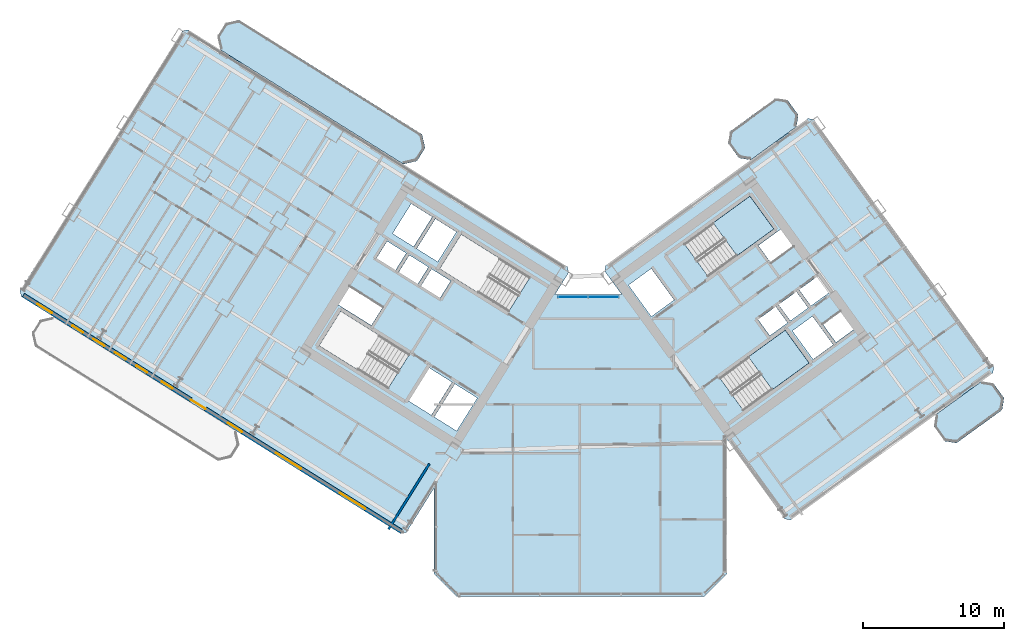
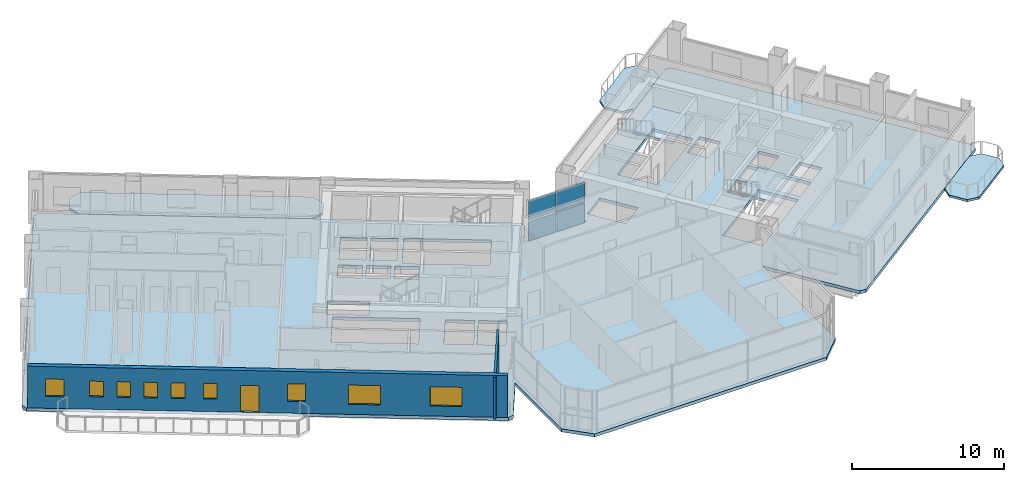
# One storey, part 14 of 28: 9 windows, 6 slabs, 4 plates, 2 walls, 1 door, 10 openings, 3 elements without a shape of their own.
"""IFC4 building model written with IfcOpenShell, lengths in metres."""

from ifc_helpers import new_model, si_unit, direction, frame, frame_2d, origin, origin_2d, place, context, subcontext, project, spatial, polyline, rectangle, outline, extrude, source, transform, mapped, material, layer, layer_set, type_object, element, fill, aggregate, save


model = new_model("IFC4")

# Units and contexts
model_context = context("Model", 3, precision=1e-05, world=origin(), true_north=direction((0.0, 1.0)))
body_context = subcontext(model_context, "Body", "Model", "MODEL_VIEW")
ifc_project = project(units=[si_unit("LENGTHUNIT", "METRE"), si_unit("AREAUNIT", "SQUARE_METRE"), si_unit("VOLUMEUNIT", "CUBIC_METRE"), si_unit("PLANEANGLEUNIT", "RADIAN"), si_unit("MASSUNIT", "GRAM", prefix="KILO")], contexts=[model_context])

# Site, building, storey
site_placement = place(None, origin())
site = spatial("IfcSite", under=ifc_project, at=site_placement, CompositionType="ELEMENT")
building_placement = place(site_placement, origin())
building = spatial("IfcBuilding", under=site, at=building_placement, Name="Tlacorven Tower", CompositionType="ELEMENT")
storey_placement = place(building_placement, frame((0.0, 0.0, 27.60009765625)))
storey = spatial("IfcBuildingStorey", under=building, at=storey_placement, Name="L06", CompositionType="ELEMENT", Elevation=27.60009765625)

# Slabs
ifc_material_1 = material(Name="Precast concrete C45/55", Category="concrete")
ifc_layer_1 = layer(ifc_material_1, 0.179931640625)
ifc_layer_set_1 = layer_set([ifc_layer_1], Name="Precast concrete C45/55")
slab_type_1 = type_object("IfcSlabType", Name="SL-BAL-180", PredefinedType="USERDEFINED", material=ifc_layer_set_1)
slab_1_placement = place(storey_placement, frame((0.0, 0.0, -0.18017578125)))
element("IfcSlab", 1, at=slab_1_placement, inside=storey, type_object=slab_type_1, Name="L06 West Wing Balcony Ribbon IN", ObjectType="BALCONY SLAB", PredefinedType="USERDEFINED", context=body_context, shape_type="SweptSolid", body=[
    extrude(outline(polyline([(30.756591796875, 34.57763671875), (17.781494140625, 42.685546875), (16.81689453125, 42.462890625), (16.236572265625, 41.5341796875), (16.459228515625, 40.569580078125), (29.434326171875, 32.4619140625), (30.39892578125, 32.6845703125), (30.979248046875, 33.613037109375), (30.756591796875, 34.57763671875)])), origin(), (0.0, 0.0, 1.0), 0.18017578125),
])
slab_2_placement = place(storey_placement, frame((0.0, 0.0, -0.18017578125)))
element("IfcSlab", 2, at=slab_2_placement, inside=storey, type_object=slab_type_1, Name="L06 East Wing Balcony Ribbon OUT", ObjectType="BALCONY SLAB", PredefinedType="USERDEFINED", context=body_context, shape_type="SweptSolid", body=[
    extrude(outline(polyline([(68.669921875, 12.678955078125), (71.906005859375, 15.0302734375), (72.03857421875, 15.8681640625), (71.27734375, 16.916015625), (70.439453125, 17.048583984375), (67.203369140625, 14.697509765625), (67.070556640625, 13.859375), (67.831787109375, 12.811767578125), (68.669921875, 12.678955078125)])), origin(), (0.0, 0.0, 1.0), 0.18017578125),
])
slab_3_placement = place(storey_placement, frame((0.0, 0.0, -0.18017578125)))
element("IfcSlab", 3, at=slab_3_placement, inside=storey, type_object=slab_type_1, Name="L06 East Wing Balcony Ribbon IN", ObjectType="BALCONY SLAB", PredefinedType="USERDEFINED", context=body_context, shape_type="SweptSolid", body=[
    extrude(outline(polyline([(54.078125, 32.762939453125), (57.314208984375, 35.114013671875), (57.44677734375, 35.9521484375), (56.685791015625, 36.999755859375), (55.84765625, 37.132568359375), (52.611572265625, 34.78125), (52.478759765625, 33.943359375), (53.239990234375, 32.8955078125), (54.078125, 32.762939453125)])), origin(), (0.0, 0.0, 1.0), 0.18017578125),
])

# Stair, slab
ifc_material_2 = material(Name="Concrete C40/50", Category="concrete")
stair_type = type_object("IfcStairType", Name="ST-CORE-DLG", PredefinedType="HALF_TURN_STAIR", material=ifc_material_2)
stair_1_placement = place(storey_placement, origin())
stair_1 = element("IfcStair", 4, at=stair_1_placement, inside=storey, type_object=stair_type, Name="L06 Protected Exit Stair East 1", PredefinedType="HALF_TURN_STAIR")
ifc_layer_2 = layer(ifc_material_2, 0.199951171875)
ifc_layer_set_2 = layer_set([ifc_layer_2], Name="Concrete C40/50")
slab_type_2 = type_object("IfcSlabType", Name="SL-LND-200", PredefinedType="LANDING", material=ifc_layer_set_2)
slab_4_placement = place(storey_placement, frame((0.0, 0.0, 1.599853515625)))
slab_4 = element("IfcSlab", 5, at=slab_4_placement, type_object=slab_type_2, Name="ST-E1 landing 1", PredefinedType="LANDING", context=body_context, shape_type="SweptSolid", body=[
    extrude(outline(polyline([(53.09765625, 25.962890625), (55.7109375, 27.861572265625), (54.01806640625, 30.19140625), (51.40478515625, 28.29296875), (53.09765625, 25.962890625)])), origin(), (0.0, 0.0, 1.0), 0.199951171875),
])
aggregate(stair_1, [slab_4])

stair_2_placement = place(storey_placement, origin())
stair_2 = element("IfcStair", 6, at=stair_2_placement, inside=storey, type_object=stair_type, Name="L06 Protected Exit Stair East 2", PredefinedType="HALF_TURN_STAIR")
slab_5_placement = place(storey_placement, frame((0.0, 0.0, 1.599853515625)))
slab_5 = element("IfcSlab", 7, at=slab_5_placement, type_object=slab_type_2, Name="ST-E2 landing 1", PredefinedType="LANDING", context=body_context, shape_type="SweptSolid", body=[
    extrude(outline(polyline([(55.601806640625, 16.4599609375), (58.21484375, 18.3583984375), (56.52197265625, 20.6884765625), (53.908935546875, 18.789794921875), (55.601806640625, 16.4599609375)])), origin(), (0.0, 0.0, 1.0), 0.199951171875),
])
aggregate(stair_2, [slab_5])

# Slab
ifc_layer_3 = layer(ifc_material_2, 0.25)
ifc_layer_set_3 = layer_set([ifc_layer_3], Name="Concrete C40/50")
slab_type_3 = type_object("IfcSlabType", Name="SL-TWR-250", PredefinedType="FLOOR", material=ifc_layer_set_3)
slab_6_placement = place(storey_placement, frame((0.0, 0.0, -0.25)))
element("IfcSlab", 8, at=slab_6_placement, inside=storey, type_object=slab_type_3, Name="L06 Boomerang Tower Floor Slab", PredefinedType="FLOOR", context=body_context, shape_type="SweptSolid", body=[
    extrude(outline(polyline([(52.39990234375, 3.39990234375), (50.800048828125, 1.800048828125), (33.199951171875, 1.800048828125), (31.60009765625, 3.39990234375), (31.60009765625, 9.470703125), (29.652587890625, 6.35400390625), (29.2392578125, 6.258544921875), (2.339111328125, 23.067626953125), (2.24365234375, 23.481201171875), (13.75341796875, 41.900634765625), (14.1669921875, 41.99609375), (41.06689453125, 25.18701171875), (41.162353515625, 24.773681640625), (40.178955078125, 23.199951171875), (44.932373046875, 23.199951171875), (43.723876953125, 24.86328125), (43.790283203125, 25.2822265625), (58.1259765625, 35.69775390625), (58.545166015625, 35.63134765625), (71.311767578125, 18.0595703125), (71.245361328125, 17.640380859375), (56.90966796875, 7.224853515625), (56.49072265625, 7.291259765625), (52.39990234375, 12.921630859375), (52.39990234375, 3.39990234375)]), holes=[polyline([(29.865478515625, 18.979736328125), (24.9892578125, 22.02685546875), (23.463134765625, 19.58447265625), (28.33935546875, 16.537353515625), (29.865478515625, 18.979736328125)]), polyline([(38.4169921875, 24.4375), (33.540771484375, 27.484375), (32.0146484375, 25.0419921875), (36.890869140625, 21.9951171875), (38.4169921875, 24.4375)]), polyline([(51.05908203125, 24.481689453125), (55.7109375, 27.861572265625), (54.01806640625, 30.19140625), (49.3662109375, 26.811767578125), (51.05908203125, 24.481689453125)]), polyline([(53.56298828125, 14.978759765625), (58.21484375, 18.3583984375), (56.52197265625, 20.6884765625), (51.8701171875, 17.30859375), (53.56298828125, 14.978759765625)]), polyline([(34.682373046875, 15.87548828125), (33.088134765625, 16.871826171875), (31.62548828125, 14.531005859375), (33.2197265625, 13.534912109375), (34.682373046875, 15.87548828125)]), polyline([(32.884521484375, 16.9990234375), (31.2392578125, 18.02685546875), (29.77685546875, 15.686279296875), (31.421875, 14.658203125), (32.884521484375, 16.9990234375)]), polyline([(47.0234375, 21.648681640625), (48.6416015625, 22.82421875), (47.019287109375, 25.05712890625), (45.401123046875, 23.881591796875), (47.0234375, 21.648681640625)]), polyline([(33.197265625, 27.65185546875), (31.704833984375, 28.58447265625), (30.3798828125, 26.46435546875), (31.87255859375, 25.53173828125), (33.197265625, 27.65185546875)]), polyline([(31.484375, 28.722412109375), (29.99169921875, 29.655029296875), (28.6669921875, 27.534912109375), (30.159423828125, 26.602294921875), (31.484375, 28.722412109375)]), polyline([(32.794921875, 24.17724609375), (31.43798828125, 25.025146484375), (30.685546875, 23.82080078125), (32.042236328125, 22.972900390625), (32.794921875, 24.17724609375)]), polyline([(31.217529296875, 25.162841796875), (29.860595703125, 26.0107421875), (29.108154296875, 24.806396484375), (30.465087890625, 23.958740234375), (31.217529296875, 25.162841796875)]), polyline([(29.64013671875, 26.1484375), (28.283203125, 26.996337890625), (27.53076171875, 25.792236328125), (28.8876953125, 24.9443359375), (29.64013671875, 26.1484375)]), polyline([(55.427734375, 20.288818359375), (56.68994140625, 21.205810546875), (55.855224609375, 22.354736328125), (54.59326171875, 21.437744140625), (55.427734375, 20.288818359375)]), polyline([(56.884033203125, 21.346923828125), (58.146240234375, 22.263916015625), (57.3115234375, 23.41259765625), (56.04931640625, 22.495849609375), (56.884033203125, 21.346923828125)]), polyline([(58.34033203125, 22.405029296875), (59.602294921875, 23.322021484375), (58.767578125, 24.470703125), (57.505615234375, 23.5537109375), (58.34033203125, 22.405029296875)]), polyline([(58.498779296875, 18.614013671875), (59.922607421875, 19.648681640625), (58.453125, 21.671142578125), (57.029296875, 20.63671875), (58.498779296875, 18.614013671875)]), polyline([(27.96142578125, 22.2919921875), (25.603759765625, 23.76513671875), (24.80908203125, 22.4931640625), (27.16650390625, 21.02001953125), (27.96142578125, 22.2919921875)]), polyline([(55.490478515625, 25.4765625), (57.092529296875, 26.640380859375), (56.210693359375, 27.85400390625), (54.60888671875, 26.690185546875), (55.490478515625, 25.4765625)]), polyline([(60.12109375, 19.817626953125), (61.38330078125, 20.734619140625), (60.45458984375, 22.012939453125), (59.192626953125, 21.095947265625), (60.12109375, 19.817626953125)])]), origin(), (0.0, 0.0, 1.0), 0.25),
])

# Curtain wall, plates
ifc_material_3 = material(Name="Dark solar low-E double glazing in aluminium frame", Category="aluminium")
curtain_wall_type = type_object("IfcCurtainWallType", Name="CW-TWR-LOW", PredefinedType="USERDEFINED", material=ifc_material_3)
curtain_wall_placement = place(storey_placement, origin())
curtain_wall = element("IfcCurtainWall", 9, at=curtain_wall_placement, inside=storey, type_object=curtain_wall_type, Name="L06 CW-TWR-LOW Curtain Wall 32", ObjectType="UNITISED CURTAIN WALL", PredefinedType="USERDEFINED")
ifc_material_4 = material(Name="Dark solar double low-E glazing", Category="glass")
ifc_layer_4 = layer(ifc_material_4, 0.031982421875)
ifc_layer_set_4 = layer_set([ifc_layer_4], Name="Dark solar double low-E glazing")
plate_type = type_object("IfcPlateType", Name="CWP-02", PredefinedType="CURTAIN_PANEL", material=ifc_layer_set_4)
shared_shape_1 = source(origin(), body_context, "Body", "SweptSolid", [
    extrude(rectangle(XDim=2.110595703125, YDim=0.031982421875, at=origin_2d()), origin(), (0.0, 0.0, 1.0), 1.552978515625),
])
plate_1_placement = place(storey_placement, frame((41.47802734375, 23.0400390625, 0.06103515625), z_axis=(0.0, 0.0, 1.0), x_axis=(1.0, 0.0, 0.0)))
plate_1 = element("IfcPlate", 10, at=plate_1_placement, type_object=plate_type, Name="CW-L06-032 Glazing Panel 1", PredefinedType="CURTAIN_PANEL", context=body_context, shape_type="MappedRepresentation", body=[
    mapped(shared_shape_1, transform((0.0, 0.0, 0.0), scale=1.0)),
])
plate_2_placement = place(storey_placement, frame((41.47802734375, 23.0400390625, 1.73583984375), z_axis=(0.0, 0.0, 1.0), x_axis=(1.0, 0.0, 0.0)))
plate_2 = element("IfcPlate", 11, at=plate_2_placement, type_object=plate_type, Name="CW-L06-032 Glazing Panel 2", PredefinedType="CURTAIN_PANEL", context=body_context, shape_type="MappedRepresentation", body=[
    mapped(shared_shape_1, transform((0.0, 0.0, 0.0), scale=1.0)),
])
plate_3_placement = place(storey_placement, frame((43.640625, 23.0400390625, 0.06103515625), z_axis=(0.0, 0.0, 1.0), x_axis=(1.0, 0.0, 0.0)))
plate_3 = element("IfcPlate", 12, at=plate_3_placement, type_object=plate_type, Name="CW-L06-032 Glazing Panel 3", PredefinedType="CURTAIN_PANEL", context=body_context, shape_type="MappedRepresentation", body=[
    mapped(shared_shape_1, transform((0.0, 0.0, 0.0), scale=1.0)),
])
plate_4_placement = place(storey_placement, frame((43.640625, 23.0400390625, 1.73583984375), z_axis=(0.0, 0.0, 1.0), x_axis=(1.0, 0.0, 0.0)))
plate_4 = element("IfcPlate", 13, at=plate_4_placement, type_object=plate_type, Name="CW-L06-032 Glazing Panel 4", PredefinedType="CURTAIN_PANEL", context=body_context, shape_type="MappedRepresentation", body=[
    mapped(shared_shape_1, transform((0.0, 0.0, 0.0), scale=1.0)),
])
aggregate(curtain_wall, [plate_1, plate_2, plate_3, plate_4])

# Wall
ifc_material_5 = material(Name="Gypsum plasterboard acoustic partition", Category="gypsum")
ifc_layer_5 = layer(ifc_material_5, 0.159912109375)
ifc_layer_set_5 = layer_set([ifc_layer_5], Name="Gypsum plasterboard acoustic partition")
wall_type_1 = type_object("IfcWallType", Name="WL-DEM-160", PredefinedType="PARTITIONING", material=ifc_layer_set_5)
wall_1_placement = place(storey_placement, frame((31.282470703125, 11.2080078125, 0.0), z_axis=(0.0, 0.0, 1.0), x_axis=(-0.529938869374, -0.84803584519, 0.0)))
element("IfcWall", 14, at=wall_1_placement, inside=storey, type_object=wall_type_1, Name="L06 WC West Throat Wall", PredefinedType="PARTITIONING", context=body_context, shape_type="SweptSolid", body=[
    extrude(rectangle(XDim=5.47998046875, YDim=0.159912109375, at=frame_2d((2.739990234375, 0.0))), origin(), (0.0, 0.0, 1.0), 3.33984375),
])

# Wall, openings, door, windows
ifc_layer_6 = layer(ifc_material_1, 0.320068359375)
ifc_layer_set_6 = layer_set([ifc_layer_6], Name="Precast concrete C45/55")
wall_type_2 = type_object("IfcWallType", Name="WL-EXT-320", PredefinedType="STANDARD", material=ifc_layer_set_6)
wall_2_placement = place(storey_placement, frame((29.267822265625, 6.429443359375, 0.0), z_axis=(0.0, 0.0, 1.0), x_axis=(-0.848049971435, 0.529916263149, 0.0)))
wall_2 = element("IfcWall", 15, at=wall_2_placement, inside=storey, type_object=wall_type_2, Name="L06 Masonry-Frame Recessed Facade Wall 1", PredefinedType="STANDARD", context=body_context, shape_type="SweptSolid", body=[
    extrude(rectangle(XDim=31.587646484375, YDim=0.320068359375, at=frame_2d((15.7939453125, 0.0))), origin(), (0.0, 0.0, 1.0), 3.349853515625),
])
opening_1_placement = place(wall_2_placement, frame((16.36181640625, 0.0, 0.0)))
opening_1 = element("IfcOpeningElement", 16, at=opening_1_placement, cuts=wall_2, Name="Opening D05", PredefinedType="OPENING", context=body_context, shape_type="SweptSolid", body=[
    extrude(rectangle(XDim=1.199951171875, YDim=2.14990234375, at=frame_2d((0.60009765625, 1.074951171875))), frame((0.0, 0.169921875, 0.0), z_axis=(0.0, -1.0, 0.0), x_axis=(1.0, 0.0, 0.0)), (0.0, 0.0, 1.0), 0.340087890625),
])
opening_2_placement = place(wall_2_placement, frame((2.98876953125, 0.0, 0.800048828125)))
opening_2 = element("IfcOpeningElement", 17, at=opening_2_placement, cuts=wall_2, Name="Opening WN04", PredefinedType="OPENING", context=body_context, shape_type="SweptSolid", body=[
    extrude(rectangle(XDim=2.10009765625, YDim=1.550048828125, at=frame_2d((1.050048828125, 0.77490234375))), frame((0.0, 0.169921875, 0.0), z_axis=(0.0, -1.0, 0.0), x_axis=(1.0, 0.0, 0.0)), (0.0, 0.0, 1.0), 0.340087890625),
])
opening_3_placement = place(wall_2_placement, frame((8.358642578125, 0.0, 0.800048828125)))
opening_3 = element("IfcOpeningElement", 18, at=opening_3_placement, cuts=wall_2, Name="Opening WN04", PredefinedType="OPENING", context=body_context, shape_type="SweptSolid", body=[
    extrude(rectangle(XDim=2.10009765625, YDim=1.550048828125, at=frame_2d((1.050048828125, 0.77490234375))), frame((0.0, 0.169921875, 0.0), z_axis=(0.0, -1.0, 0.0), x_axis=(1.0, 0.0, 0.0)), (0.0, 0.0, 1.0), 0.340087890625),
])
opening_4_placement = place(wall_2_placement, frame((13.28369140625, 0.0, 0.949951171875)))
opening_4 = element("IfcOpeningElement", 19, at=opening_4_placement, cuts=wall_2, Name="Opening WN03", PredefinedType="OPENING", context=body_context, shape_type="SweptSolid", body=[
    extrude(rectangle(XDim=1.199951171875, YDim=1.39990234375, at=frame_2d((0.60009765625, 0.699951171875))), frame((0.0, 0.169921875, 0.0), z_axis=(0.0, -1.0, 0.0), x_axis=(1.0, 0.0, 0.0)), (0.0, 0.0, 1.0), 0.340087890625),
])
opening_5_placement = place(wall_2_placement, frame((29.18798828125, 0.0, 0.949951171875)))
opening_5 = element("IfcOpeningElement", 20, at=opening_5_placement, cuts=wall_2, Name="Opening WN03", PredefinedType="OPENING", context=body_context, shape_type="SweptSolid", body=[
    extrude(rectangle(XDim=1.199951171875, YDim=1.39990234375, at=frame_2d((0.60009765625, 0.699951171875))), frame((0.0, 0.169921875, 0.0), z_axis=(0.0, -1.0, 0.0), x_axis=(1.0, 0.0, 0.0)), (0.0, 0.0, 1.0), 0.340087890625),
])
opening_6_placement = place(wall_2_placement, frame((19.110107421875, 0.0, 1.0)))
opening_6 = element("IfcOpeningElement", 21, at=opening_6_placement, cuts=wall_2, Name="Opening WN05", PredefinedType="OPENING", context=body_context, shape_type="SweptSolid", body=[
    extrude(rectangle(XDim=0.89990234375, YDim=1.25, at=frame_2d((0.449951171875, 0.625))), frame((0.0, 0.169921875, 0.0), z_axis=(0.0, -1.0, 0.0), x_axis=(1.0, 0.0, 0.0)), (0.0, 0.0, 1.0), 0.340087890625),
])
opening_7_placement = place(wall_2_placement, frame((21.2255859375, 0.0, 1.0)))
opening_7 = element("IfcOpeningElement", 22, at=opening_7_placement, cuts=wall_2, Name="Opening WN05", PredefinedType="OPENING", context=body_context, shape_type="SweptSolid", body=[
    extrude(rectangle(XDim=0.89990234375, YDim=1.25, at=frame_2d((0.449951171875, 0.625))), frame((0.0, 0.169921875, 0.0), z_axis=(0.0, -1.0, 0.0), x_axis=(1.0, 0.0, 0.0)), (0.0, 0.0, 1.0), 0.340087890625),
])
opening_8_placement = place(wall_2_placement, frame((23.013671875, 0.0, 1.0)))
opening_8 = element("IfcOpeningElement", 23, at=opening_8_placement, cuts=wall_2, Name="Opening WN05", PredefinedType="OPENING", context=body_context, shape_type="SweptSolid", body=[
    extrude(rectangle(XDim=0.89990234375, YDim=1.25, at=frame_2d((0.449951171875, 0.625))), frame((0.0, 0.169921875, 0.0), z_axis=(0.0, -1.0, 0.0), x_axis=(1.0, 0.0, 0.0)), (0.0, 0.0, 1.0), 0.340087890625),
])
opening_9_placement = place(wall_2_placement, frame((24.8017578125, 0.0, 1.0)))
opening_9 = element("IfcOpeningElement", 24, at=opening_9_placement, cuts=wall_2, Name="Opening WN05", PredefinedType="OPENING", context=body_context, shape_type="SweptSolid", body=[
    extrude(rectangle(XDim=0.89990234375, YDim=1.25, at=frame_2d((0.449951171875, 0.625))), frame((0.0, 0.169921875, 0.0), z_axis=(0.0, -1.0, 0.0), x_axis=(1.0, 0.0, 0.0)), (0.0, 0.0, 1.0), 0.340087890625),
])
opening_10_placement = place(wall_2_placement, frame((26.589599609375, 0.0, 1.0)))
opening_10 = element("IfcOpeningElement", 25, at=opening_10_placement, cuts=wall_2, Name="Opening WN05", PredefinedType="OPENING", context=body_context, shape_type="SweptSolid", body=[
    extrude(rectangle(XDim=0.89990234375, YDim=1.25, at=frame_2d((0.449951171875, 0.625))), frame((0.0, 0.169921875, 0.0), z_axis=(0.0, -1.0, 0.0), x_axis=(1.0, 0.0, 0.0)), (0.0, 0.0, 1.0), 0.340087890625),
])
ifc_material_6 = material(Name="Powder-coated aluminium and timber door", Category="wood")
door_type = type_object("IfcDoorType", Name="DR-EXT-BALC-1200", OperationType="NOTDEFINED", PredefinedType="DOOR", material=ifc_material_6)
shared_shape_2 = source(origin(), body_context, "Body", "SweptSolid", [
    extrude(rectangle(XDim=1.199951171875, YDim=2.14990234375, at=frame_2d((0.60009765625, 1.074951171875))), frame((0.0, 0.02490234375, 0.0), z_axis=(0.0, -1.0, 0.0), x_axis=(1.0, 0.0, 0.0)), (0.0, 0.0, 1.0), 0.050048828125),
])
door_placement = place(opening_1_placement, origin())
door = element("IfcDoor", 26, at=door_placement, inside=storey, type_object=door_type, Name="L06 Outdoor Access Door BAL-L06-W-OUT", OperationType="SINGLE_SWING_LEFT", OverallHeight=2.14990234375, OverallWidth=1.199951171875, PredefinedType="DOOR", context=body_context, shape_type="MappedRepresentation", body=[
    mapped(shared_shape_2, transform((0.0, 0.0, 0.0), scale=1.0)),
])
fill(opening_1, door)
ifc_material_7 = material(Name="Dark solar low-E double glazing in anodised aluminium frame", Category="aluminium")
window_type_1 = type_object("IfcWindowType", Name="WN-APT-2100X1750", PartitioningType="SINGLE_PANEL", PredefinedType="WINDOW", material=ifc_material_7)
shared_shape_3 = source(origin(), body_context, "Body", "SweptSolid", [
    extrude(rectangle(XDim=2.10009765625, YDim=1.550048828125, at=frame_2d((1.050048828125, 0.77490234375))), frame((0.0, 0.030029296875, 0.0), z_axis=(0.0, -1.0, 0.0), x_axis=(1.0, 0.0, 0.0)), (0.0, 0.0, 1.0), 0.06005859375),
])
window_1_placement = place(opening_2_placement, origin())
window_1 = element("IfcWindow", 27, at=window_1_placement, inside=storey, type_object=window_type_1, Name="L06 Recessed Masonry-Frame Window L06-01.1", OverallHeight=1.550048828125, OverallWidth=2.10009765625, PartitioningType="SINGLE_PANEL", PredefinedType="WINDOW", context=body_context, shape_type="MappedRepresentation", body=[
    mapped(shared_shape_3, transform((0.0, 0.0, 0.0), scale=1.0)),
])
fill(opening_2, window_1)
window_2_placement = place(opening_3_placement, origin())
window_2 = element("IfcWindow", 28, at=window_2_placement, inside=storey, type_object=window_type_1, Name="L06 Recessed Masonry-Frame Window L06-01.2", OverallHeight=1.550048828125, OverallWidth=2.10009765625, PartitioningType="SINGLE_PANEL", PredefinedType="WINDOW", context=body_context, shape_type="MappedRepresentation", body=[
    mapped(shared_shape_3, transform((0.0, 0.0, 0.0), scale=1.0)),
])
fill(opening_3, window_2)
window_type_2 = type_object("IfcWindowType", Name="WN-APT-1200X1500", PartitioningType="SINGLE_PANEL", PredefinedType="WINDOW", material=ifc_material_7)
shared_shape_4 = source(origin(), body_context, "Body", "SweptSolid", [
    extrude(rectangle(XDim=1.199951171875, YDim=1.39990234375, at=frame_2d((0.60009765625, 0.699951171875))), frame((0.0, 0.030029296875, 0.0), z_axis=(0.0, -1.0, 0.0), x_axis=(1.0, 0.0, 0.0)), (0.0, 0.0, 1.0), 0.06005859375),
])
window_3_placement = place(opening_4_placement, origin())
window_3 = element("IfcWindow", 29, at=window_3_placement, inside=storey, type_object=window_type_2, Name="L06 Recessed Masonry-Frame Window L06-01.3", OverallHeight=1.39990234375, OverallWidth=1.199951171875, PartitioningType="SINGLE_PANEL", PredefinedType="WINDOW", context=body_context, shape_type="MappedRepresentation", body=[
    mapped(shared_shape_4, transform((0.0, 0.0, 0.0), scale=1.0)),
])
fill(opening_4, window_3)
window_4_placement = place(opening_5_placement, origin())
window_4 = element("IfcWindow", 30, at=window_4_placement, inside=storey, type_object=window_type_2, Name="L06 Recessed Masonry-Frame Window L06-01.4", OverallHeight=1.39990234375, OverallWidth=1.199951171875, PartitioningType="SINGLE_PANEL", PredefinedType="WINDOW", context=body_context, shape_type="MappedRepresentation", body=[
    mapped(shared_shape_4, transform((0.0, 0.0, 0.0), scale=1.0)),
])
fill(opening_5, window_4)
window_type_3 = type_object("IfcWindowType", Name="WN-APT-0900X1350", PartitioningType="SINGLE_PANEL", PredefinedType="WINDOW", material=ifc_material_7)
shared_shape_5 = source(origin(), body_context, "Body", "SweptSolid", [
    extrude(rectangle(XDim=0.89990234375, YDim=1.25, at=frame_2d((0.449951171875, 0.625))), frame((0.0, 0.030029296875, 0.0), z_axis=(0.0, -1.0, 0.0), x_axis=(1.0, 0.0, 0.0)), (0.0, 0.0, 1.0), 0.06005859375),
])
window_5_placement = place(opening_6_placement, origin())
window_5 = element("IfcWindow", 31, at=window_5_placement, inside=storey, type_object=window_type_3, Name="L06 Dwelling Daylight Window L06-U02-BD1", OverallHeight=1.25, OverallWidth=0.89990234375, PartitioningType="SINGLE_PANEL", PredefinedType="WINDOW", context=body_context, shape_type="MappedRepresentation", body=[
    mapped(shared_shape_5, transform((0.0, 0.0, 0.0), scale=1.0)),
])
fill(opening_6, window_5)
window_6_placement = place(opening_7_placement, origin())
window_6 = element("IfcWindow", 32, at=window_6_placement, inside=storey, type_object=window_type_3, Name="L06 Dwelling Daylight Window L06-U02-BD2", OverallHeight=1.25, OverallWidth=0.89990234375, PartitioningType="SINGLE_PANEL", PredefinedType="WINDOW", context=body_context, shape_type="MappedRepresentation", body=[
    mapped(shared_shape_5, transform((0.0, 0.0, 0.0), scale=1.0)),
])
fill(opening_7, window_6)
window_7_placement = place(opening_8_placement, origin())
window_7 = element("IfcWindow", 33, at=window_7_placement, inside=storey, type_object=window_type_3, Name="L06 Dwelling Daylight Window L06-U02-BD3", OverallHeight=1.25, OverallWidth=0.89990234375, PartitioningType="SINGLE_PANEL", PredefinedType="WINDOW", context=body_context, shape_type="MappedRepresentation", body=[
    mapped(shared_shape_5, transform((0.0, 0.0, 0.0), scale=1.0)),
])
fill(opening_8, window_7)
window_8_placement = place(opening_9_placement, origin())
window_8 = element("IfcWindow", 34, at=window_8_placement, inside=storey, type_object=window_type_3, Name="L06 Dwelling Daylight Window L06-U02-BD4", OverallHeight=1.25, OverallWidth=0.89990234375, PartitioningType="SINGLE_PANEL", PredefinedType="WINDOW", context=body_context, shape_type="MappedRepresentation", body=[
    mapped(shared_shape_5, transform((0.0, 0.0, 0.0), scale=1.0)),
])
fill(opening_9, window_8)
window_9_placement = place(opening_10_placement, origin())
window_9 = element("IfcWindow", 35, at=window_9_placement, inside=storey, type_object=window_type_3, Name="L06 Dwelling Daylight Window L06-U02-BD5", OverallHeight=1.25, OverallWidth=0.89990234375, PartitioningType="SINGLE_PANEL", PredefinedType="WINDOW", context=body_context, shape_type="MappedRepresentation", body=[
    mapped(shared_shape_5, transform((0.0, 0.0, 0.0), scale=1.0)),
])
fill(opening_10, window_9)

save(model, "model.ifc")
